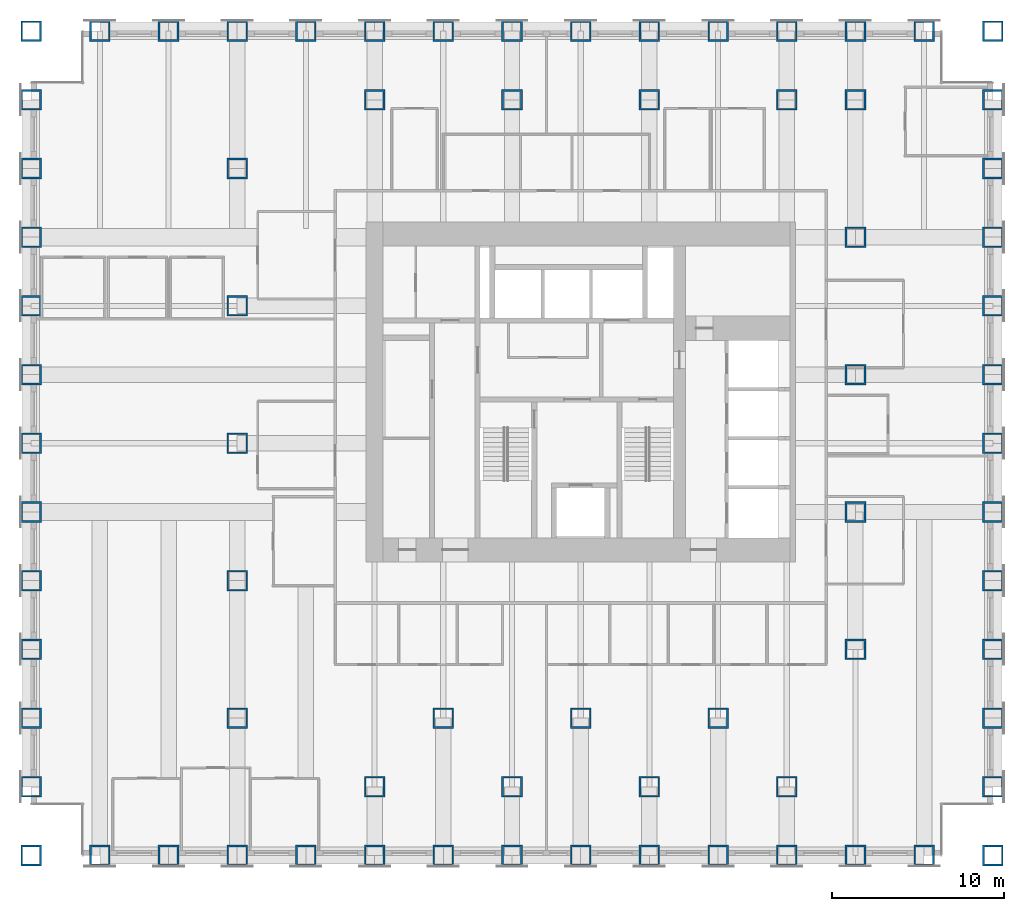
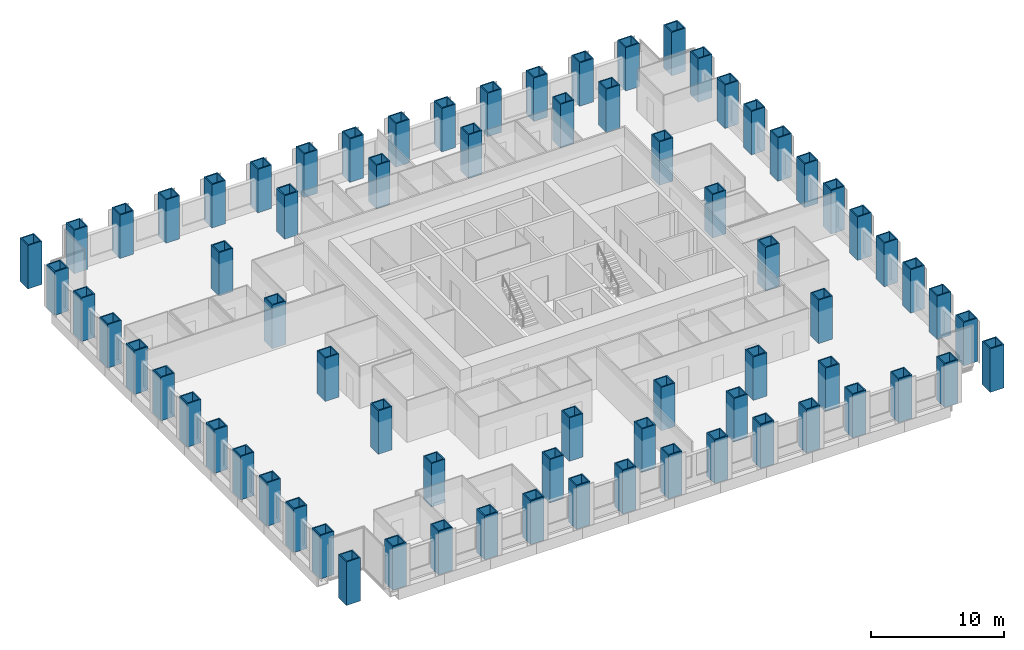
# One storey, part 1 of 14: 73 columns.
"""IFC4 building model written with IfcOpenShell, lengths in metres."""

from ifc_helpers import new_model, si_unit, direction, frame, origin, origin_2d, place, context, subcontext, project, spatial, hollow_rectangle, extrude, material, material_profile, profile_set, type_object, element, save


model = new_model("IFC4")

# Units and contexts
model_context = context("Model", 3, precision=1e-05, world=origin(), true_north=direction((0.0, 1.0)))
body_context = subcontext(model_context, "Body", "Model", "MODEL_VIEW")
ifc_project = project(units=[si_unit("LENGTHUNIT", "METRE"), si_unit("AREAUNIT", "SQUARE_METRE"), si_unit("VOLUMEUNIT", "CUBIC_METRE"), si_unit("PLANEANGLEUNIT", "RADIAN"), si_unit("MASSUNIT", "GRAM", prefix="KILO")], contexts=[model_context])

# Site, building, storey
site_placement = place(None, origin())
site = spatial("IfcSite", under=ifc_project, at=site_placement, CompositionType="ELEMENT")
building_placement = place(site_placement, origin())
building = spatial("IfcBuilding", under=site, at=building_placement, Name="Rimbunsela Tower", CompositionType="ELEMENT")
storey_placement = place(building_placement, frame((0.0, 0.0, 63.0)))
storey = spatial("IfcBuildingStorey", under=building, at=storey_placement, Name="L15", CompositionType="ELEMENT", Elevation=63.0)

# Columns
ifc_material = material(Name="Steel BJ 55 (fy 410 MPa)", Category="steel")
ifc_material_profile = material_profile(ifc_material, hollow_rectangle(XDim=1.199951171875, YDim=1.199951171875, WallThickness=0.10009765625, at=origin_2d()), Name="BOX 1200x1200x100")
ifc_profile_set = profile_set([ifc_material_profile], Name="Steel BJ 55 (fy 410 MPa)")
column_type = type_object("IfcColumnType", Name="Column BOX 1200x1200x100", PredefinedType="COLUMN", material=ifc_profile_set)
for number, where, z_axis, x_axis, name in (
    (1, (-2.0, 0.0, 0.0), (0.0, 0.0, 1.0), (1.0, 0.0, 0.0), "Column C7 2/B L15"),
    (2, (-2.0, 4.0, 0.0), (0.0, 0.0, 1.0), (1.0, 0.0, 0.0), "Column C7 2/C L15"),
    (3, (-2.0, 8.0, 0.0), (0.0, 0.0, 1.0), (1.0, 0.0, 0.0), "Column C7 2/D L15"),
    (4, (-2.0, 12.0, 0.0), (0.0, 0.0, 1.0), (1.0, 0.0, 0.0), "Column C7 2/E L15"),
    (5, (-2.0, 16.0, 0.0), (0.0, 0.0, 1.0), (1.0, 0.0, 0.0), "Column C7 2/F L15"),
    (6, (-2.0, 20.0, 0.0), (0.0, 0.0, 1.0), (1.0, 0.0, 0.0), "Column C7 2/G L15"),
    (7, (-2.0, 24.0, 0.0), (0.0, 0.0, 1.0), (1.0, 0.0, 0.0), "Column C7 2/H L15"),
    (8, (-2.0, 28.0, 0.0), (0.0, 0.0, 1.0), (1.0, 0.0, 0.0), "Column C7 2/J L15"),
    (9, (-2.0, 32.0, 0.0), (0.0, 0.0, 1.0), (1.0, 0.0, 0.0), "Column C7 2/K L15"),
    (10, (-2.0, 36.0, 0.0), (0.0, 0.0, 1.0), (1.0, 0.0, 0.0), "Column C7 2/L L15"),
    (11, (-2.0, 40.0, 0.0), (0.0, 0.0, 1.0), (1.0, 0.0, 0.0), "Column C7 2/M L15"),
    (12, (-2.0, 44.0, 0.0), (0.0, 0.0, 1.0), (1.0, 0.0, 0.0), "Column C7 2/N L15"),
    (13, (-2.0, 48.0, 0.0), (0.0, 0.0, 1.0), (1.0, 0.0, 0.0), "Column C7 2/P L15"),
    (14, (2.0, 0.0, 0.0), (0.0, 0.0, 1.0), (1.0, 0.0, 0.0), "Column C7 3/B L15"),
    (15, (2.0, 48.0, 0.0), (0.0, 0.0, 1.0), (1.0, 0.0, 0.0), "Column C7 3/P L15"),
    (16, (6.0, 0.0, 0.0), (0.0, 0.0, 1.0), (1.0, 0.0, 0.0), "Column C7 4/B L15"),
    (17, (6.0, 48.0, 0.0), (0.0, 0.0, 1.0), (1.0, 0.0, 0.0), "Column C7 4/P L15"),
    (18, (10.0, 0.0, 0.0), (0.0, 0.0, 1.0), (1.0, 0.0, 0.0), "Column C7 5/B L15"),
    (19, (10.0, 48.0, 0.0), (0.0, 0.0, 1.0), (1.0, 0.0, 0.0), "Column C7 5/P L15"),
    (20, (14.0, 0.0, 0.0), (0.0, 0.0, 1.0), (1.0, 0.0, 0.0), "Column C7 6/B L15"),
    (21, (14.0, 48.0, 0.0), (0.0, 0.0, 1.0), (1.0, 0.0, 0.0), "Column C7 6/P L15"),
    (22, (18.0, 0.0, 0.0), (0.0, 0.0, 1.0), (1.0, 0.0, 0.0), "Column C7 7/B L15"),
    (23, (18.0, 48.0, 0.0), (0.0, 0.0, 1.0), (1.0, 0.0, 0.0), "Column C7 7/P L15"),
    (24, (22.0, 0.0, 0.0), (0.0, 0.0, 1.0), (1.0, 0.0, 0.0), "Column C7 8/B L15"),
    (25, (22.0, 48.0, 0.0), (0.0, 0.0, 1.0), (1.0, 0.0, 0.0), "Column C7 8/P L15"),
    (26, (26.0, 0.0, 0.0), (0.0, 0.0, 1.0), (1.0, 0.0, 0.0), "Column C7 9/B L15"),
    (27, (26.0, 48.0, 0.0), (0.0, 0.0, 1.0), (1.0, 0.0, 0.0), "Column C7 9/P L15"),
    (28, (30.0, 0.0, 0.0), (0.0, 0.0, 1.0), (1.0, 0.0, 0.0), "Column C7 10/B L15"),
    (29, (30.0, 48.0, 0.0), (0.0, 0.0, 1.0), (1.0, 0.0, 0.0), "Column C7 10/P L15"),
    (30, (34.0, 0.0, 0.0), (0.0, 0.0, 1.0), (1.0, 0.0, 0.0), "Column C7 11/B L15"),
    (31, (34.0, 48.0, 0.0), (0.0, 0.0, 1.0), (1.0, 0.0, 0.0), "Column C7 11/P L15"),
    (32, (38.0, 0.0, 0.0), (0.0, 0.0, 1.0), (1.0, 0.0, 0.0), "Column C7 12/B L15"),
    (33, (38.0, 48.0, 0.0), (0.0, 0.0, 1.0), (1.0, 0.0, 0.0), "Column C7 12/P L15"),
    (34, (42.0, 0.0, 0.0), (0.0, 0.0, 1.0), (1.0, 0.0, 0.0), "Column C7 13/B L15"),
    (35, (42.0, 48.0, 0.0), (0.0, 0.0, 1.0), (1.0, 0.0, 0.0), "Column C7 13/P L15"),
    (36, (46.0, 0.0, 0.0), (0.0, 0.0, 1.0), (1.0, 0.0, 0.0), "Column C7 14/B L15"),
    (37, (46.0, 48.0, 0.0), (0.0, 0.0, 1.0), (1.0, 0.0, 0.0), "Column C7 14/P L15"),
    (38, (50.0, 0.0, 0.0), (0.0, 0.0, 1.0), (1.0, 0.0, 0.0), "Column C7 15/B L15"),
    (39, (50.0, 48.0, 0.0), (0.0, 0.0, 1.0), (1.0, 0.0, 0.0), "Column C7 15/P L15"),
    (40, (54.0, 0.0, 0.0), (0.0, 0.0, 1.0), (1.0, 0.0, 0.0), "Column C7 16/B L15"),
    (41, (54.0, 4.0, 0.0), (0.0, 0.0, 1.0), (1.0, 0.0, 0.0), "Column C7 16/C L15"),
    (42, (54.0, 8.0, 0.0), (0.0, 0.0, 1.0), (1.0, 0.0, 0.0), "Column C7 16/D L15"),
    (43, (54.0, 12.0, 0.0), (0.0, 0.0, 1.0), (1.0, 0.0, 0.0), "Column C7 16/E L15"),
    (44, (54.0, 16.0, 0.0), (0.0, 0.0, 1.0), (1.0, 0.0, 0.0), "Column C7 16/F L15"),
    (45, (54.0, 20.0, 0.0), (0.0, 0.0, 1.0), (1.0, 0.0, 0.0), "Column C7 16/G L15"),
    (46, (54.0, 24.0, 0.0), (0.0, 0.0, 1.0), (1.0, 0.0, 0.0), "Column C7 16/H L15"),
    (47, (54.0, 28.0, 0.0), (0.0, 0.0, 1.0), (1.0, 0.0, 0.0), "Column C7 16/J L15"),
    (48, (54.0, 32.0, 0.0), (0.0, 0.0, 1.0), (1.0, 0.0, 0.0), "Column C7 16/K L15"),
    (49, (54.0, 36.0, 0.0), (0.0, 0.0, 1.0), (1.0, 0.0, 0.0), "Column C7 16/L L15"),
    (50, (54.0, 40.0, 0.0), (0.0, 0.0, 1.0), (1.0, 0.0, 0.0), "Column C7 16/M L15"),
    (51, (54.0, 44.0, 0.0), (0.0, 0.0, 1.0), (1.0, 0.0, 0.0), "Column C7 16/N L15"),
    (52, (54.0, 48.0, 0.0), (0.0, 0.0, 1.0), (1.0, 0.0, 0.0), "Column C7 16/P L15"),
    (53, (10.0, 8.0, 0.0), (0.0, 0.0, 1.0), (1.0, 0.0, 0.0), "Column C7 5/D L15"),
    (54, (10.0, 16.0, 0.0), (0.0, 0.0, 1.0), (1.0, 0.0, 0.0), "Column C7 5/F L15"),
    (55, (10.0, 24.0, 0.0), (0.0, 0.0, 1.0), (1.0, 0.0, 0.0), "Column C7 5/H L15"),
    (56, (10.0, 32.0, 0.0), (0.0, 0.0, 1.0), (1.0, 0.0, 0.0), "Column C7 5/K L15"),
    (57, (10.0, 40.0, 0.0), (0.0, 0.0, 1.0), (1.0, 0.0, 0.0), "Column C7 5/M L15"),
    (58, (18.0, 4.0, 0.0), (0.0, 0.0, 1.0), (1.0, 0.0, 0.0), "Column C7 7/C L15"),
    (59, (18.0, 44.0, 0.0), (0.0, 0.0, 1.0), (1.0, 0.0, 0.0), "Column C7 7/N L15"),
    (60, (22.0, 8.0, 0.0), (0.0, 0.0, 1.0), (1.0, 0.0, 0.0), "Column C7 8/D L15"),
    (61, (26.0, 4.0, 0.0), (0.0, 0.0, 1.0), (1.0, 0.0, 0.0), "Column C7 9/C L15"),
    (62, (26.0, 44.0, 0.0), (0.0, 0.0, 1.0), (1.0, 0.0, 0.0), "Column C7 9/N L15"),
    (63, (30.0, 8.0, 0.0), (0.0, 0.0, 1.0), (1.0, 0.0, 0.0), "Column C7 10/D L15"),
    (64, (34.0, 4.0, 0.0), (0.0, 0.0, 1.0), (1.0, 0.0, 0.0), "Column C7 11/C L15"),
    (65, (34.0, 44.0, 0.0), (0.0, 0.0, 1.0), (1.0, 0.0, 0.0), "Column C7 11/N L15"),
    (66, (38.0, 8.0, 0.0), (0.0, 0.0, 1.0), (1.0, 0.0, 0.0), "Column C7 12/D L15"),
    (67, (42.0, 4.0, 0.0), (0.0, 0.0, 1.0), (1.0, 0.0, 0.0), "Column C7 13/C L15"),
    (68, (42.0, 44.0, 0.0), (0.0, 0.0, 1.0), (1.0, 0.0, 0.0), "Column C7 13/N L15"),
    (69, (46.0, 12.0, 0.0), (0.0, 0.0, 1.0), (1.0, 0.0, 0.0), "Column C7 14/E L15"),
    (70, (46.0, 20.0, 0.0), (0.0, 0.0, 1.0), (1.0, 0.0, 0.0), "Column C7 14/G L15"),
    (71, (46.0, 28.0, 0.0), (0.0, 0.0, 1.0), (1.0, 0.0, 0.0), "Column C7 14/J L15"),
    (72, (46.0, 36.0, 0.0), (0.0, 0.0, 1.0), (1.0, 0.0, 0.0), "Column C7 14/L L15"),
    (73, (46.0, 44.0, 0.0), (0.0, 0.0, 1.0), (1.0, 0.0, 0.0), "Column C7 14/N L15"),
):
    element("IfcColumn", number, at=place(storey_placement, frame(where, z_axis=z_axis, x_axis=x_axis)), inside=storey, type_object=column_type, Name=name, PredefinedType="COLUMN", context=body_context, shape_type="SweptSolid", body=[
        extrude(hollow_rectangle(XDim=1.199951171875, YDim=1.199951171875, WallThickness=0.10009765625, at=origin_2d()), origin(), (0.0, 0.0, 1.0), 4.0),
    ])

save(model, "model.ifc")
